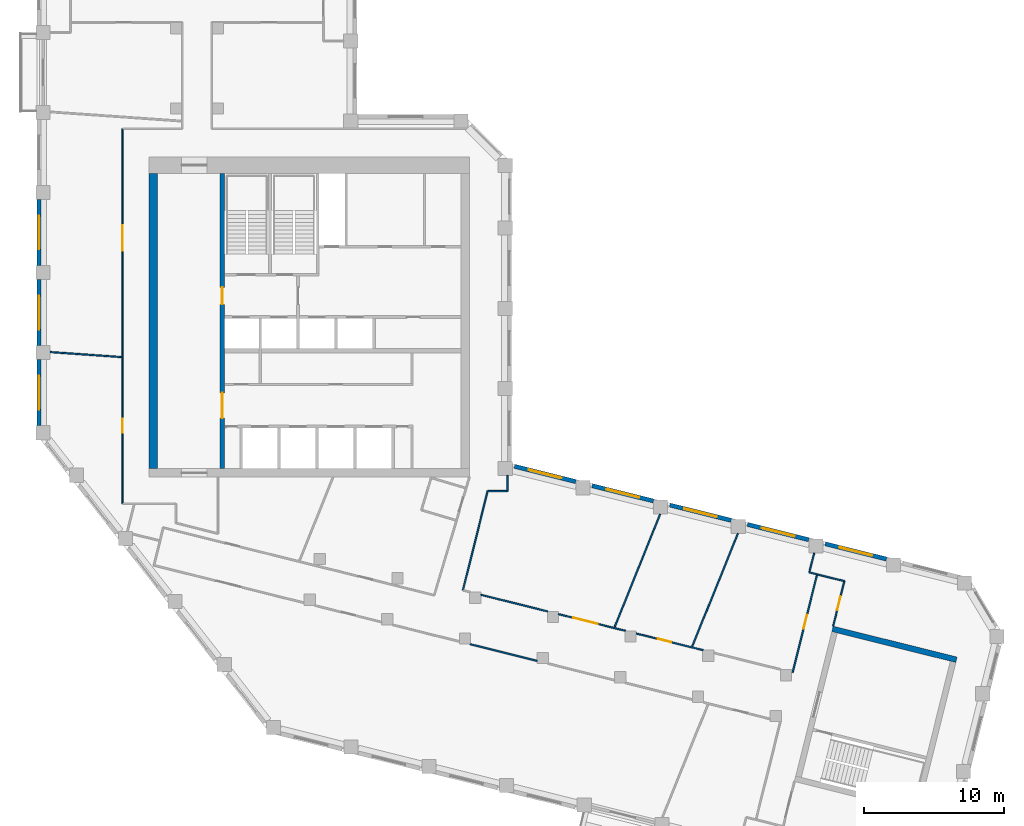
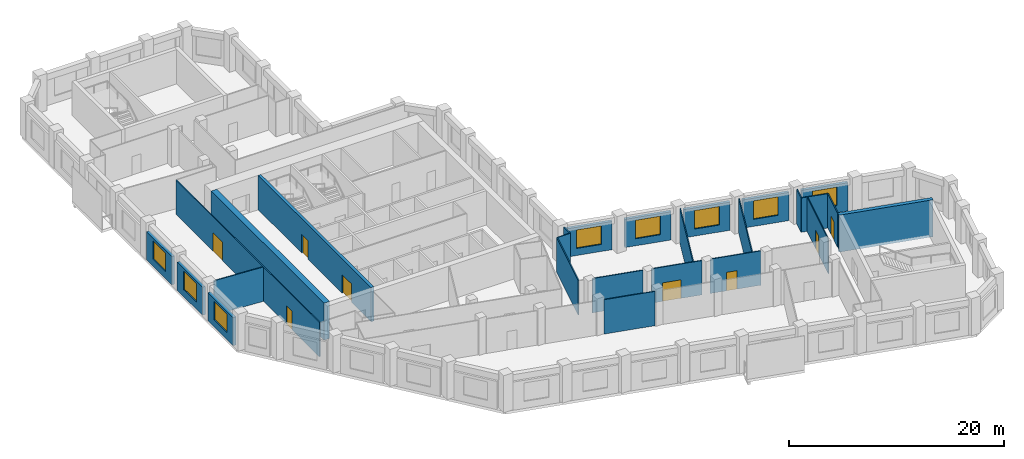
# One storey, part 4 of 9: 27 walls, 8 doors, 8 windows, 16 openings.
"""IFC4 building model written with IfcOpenShell, lengths in metres."""

import ifcopenshell
import ifcopenshell.guid

model = None  # the IFC model being written
_history = None  # IfcOwnerHistory: only IFC2X3 demands one
_inside = {}  # id of a spatial element -> (the spatial element, [elements in it])
_under = {}  # id of a project, library or spatial element -> (it, [spatial elements below it])
_declared = {}  # id of a project -> (the project, [libraries it declares])
_typed = {}  # id of a type object -> (the type object, [elements of that type])
_made_of = {}  # id of a material, layer set ... -> (it, [elements and type objects made of it])


def new_model(schema):
    """Start an empty IFC model of exactly this schema.

    Asked for "IFC4X3", IfcOpenShell would pick the latest addendum, in which some entities
    have other attributes; the version numbers below select the first issue.
    IFC2X3 requires an IfcOwnerHistory on every rooted entity: one is made here for all.
    """
    global model, _history
    if schema == "IFC4X3":
        model = ifcopenshell.file(schema_version=(4, 3, 0, 0))
    else:
        model = ifcopenshell.file(schema=schema)
    _inside.clear()
    _under.clear()
    _declared.clear()
    _typed.clear()
    _made_of.clear()
    _history = None
    if model.schema == "IFC2X3":
        org = make("IfcOrganization", Name="unknown")
        user = make(
            "IfcPersonAndOrganization",
            ThePerson=make("IfcPerson", FamilyName="unknown"),
            TheOrganization=org,
        )
        app = make(
            "IfcApplication",
            ApplicationDeveloper=org,
            Version="unknown",
            ApplicationFullName="unknown",
            ApplicationIdentifier="unknown",
        )
        _history = make(
            "IfcOwnerHistory",
            OwningUser=user,
            OwningApplication=app,
            ChangeAction="ADDED",
            CreationDate=0,
        )
    return model


def make(cls, **values):
    """One entity of the class cls with the attributes given. An attribute that is None is left unset."""
    return model.create_entity(
        cls, **{name: value for name, value in values.items() if value is not None}
    )


def rooted(cls, **values):
    """An entity with a GlobalId (a new one), such as an element, a storey or a relation."""
    return make(cls, GlobalId=ifcopenshell.guid.new(), OwnerHistory=_history, **values)


def si_unit(unit_type, name, prefix=None):
    """IfcSIUnit, for example si_unit("LENGTHUNIT", "METRE", prefix="MILLI")."""
    return make("IfcSIUnit", UnitType=unit_type, Prefix=prefix, Name=name)


def assignment(units):
    """IfcUnitAssignment: the units of a project."""
    return None if units is None else make("IfcUnitAssignment", Units=units)


def point(xyz):
    """IfcCartesianPoint."""
    return None if xyz is None else make("IfcCartesianPoint", Coordinates=xyz)


def direction(xyz):
    """IfcDirection."""
    return None if xyz is None else make("IfcDirection", DirectionRatios=xyz)


def frame(location, z_axis=None, x_axis=None):
    """IfcAxis2Placement3D, a coordinate frame: its origin and axes. An axis left out is left unset."""
    return make(
        "IfcAxis2Placement3D",
        Location=point(location),
        Axis=direction(z_axis),
        RefDirection=direction(x_axis),
    )


def frame_2d(location, x_axis=None):
    """IfcAxis2Placement2D, a coordinate frame in the plane: its origin and x axis."""
    return make(
        "IfcAxis2Placement2D", Location=point(location), RefDirection=direction(x_axis)
    )


def origin():
    """The frame at (0, 0, 0) with its axes left unset."""
    return frame((0.0, 0.0, 0.0))


def place(relative_to, where):
    """IfcLocalPlacement: puts the frame where relative to a parent placement (None: the world)."""
    return make(
        "IfcLocalPlacement", PlacementRelTo=relative_to, RelativePlacement=where
    )


def context(
    kind, dimensions, precision=None, world=None, true_north=None, identifier=None
):
    """IfcGeometricRepresentationContext, for example the 3D "Model" context."""
    return make(
        "IfcGeometricRepresentationContext",
        ContextIdentifier=identifier,
        ContextType=kind,
        CoordinateSpaceDimension=dimensions,
        Precision=precision,
        WorldCoordinateSystem=world,
        TrueNorth=true_north,
    )


def subcontext(parent, identifier, kind, view, scale=None):
    """IfcGeometricRepresentationSubContext, for example "Body" below "Model"."""
    return make(
        "IfcGeometricRepresentationSubContext",
        ContextIdentifier=identifier,
        ContextType=kind,
        ParentContext=parent,
        TargetScale=scale,
        TargetView=view,
    )


def project(units=None, contexts=None):
    """IfcProject with its units and contexts."""
    return rooted(
        "IfcProject",
        Name="project",
        RepresentationContexts=contexts,
        UnitsInContext=assignment(units),
    )


def spatial(cls, under=None, at=None, **own):
    """A site, building, storey or space (cls), placed at a placement, below another one or the project."""
    s = rooted(cls, ObjectPlacement=at, **own)
    if under is not None:
        _under.setdefault(under.id(), (under, []))[1].append(s)
    return s


def profile(cls, at=None, kind="AREA", **sizes):
    """A parametric profile (cls). Its sizes go by their IFC names, for example OverallWidth=200.0."""
    return make(cls, ProfileType=kind, Position=at, **sizes)


def rectangle(**sizes):
    """IfcRectangleProfileDef."""
    return profile("IfcRectangleProfileDef", **sizes)


def extrude(swept, where, along, depth):
    """IfcExtrudedAreaSolid: the profile swept, set in the frame where, extruded along a direction by depth."""
    return make(
        "IfcExtrudedAreaSolid",
        SweptArea=swept,
        Position=where,
        ExtrudedDirection=direction(along),
        Depth=depth,
    )


def shape(context_of_items, identifier, shape_type, items):
    """IfcShapeRepresentation: the items that make up one representation, for example the "Body"."""
    return make(
        "IfcShapeRepresentation",
        ContextOfItems=context_of_items,
        RepresentationIdentifier=identifier,
        RepresentationType=shape_type,
        Items=items,
    )


def material(Name=None, Category=None):
    """IfcMaterial."""
    return make("IfcMaterial", Name=Name, Category=Category)


def layer(
    of_material, thickness, ventilated=None, Name=None, Category=None, Priority=None
):
    """IfcMaterialLayer: one layer of a wall or slab, of a material (None: an air gap)."""
    return make(
        "IfcMaterialLayer",
        Material=of_material,
        LayerThickness=thickness,
        IsVentilated=ventilated,
        Name=Name,
        Category=Category,
        Priority=Priority,
    )


def layer_set(layers, Name=None):
    """IfcMaterialLayerSet."""
    return make("IfcMaterialLayerSet", MaterialLayers=layers, LayerSetName=Name)


def made_of(thing, what):
    """Note that an element or type object is made of a material, layer set ...; save() writes the relation."""
    if what is not None:
        _made_of.setdefault(what.id(), (what, []))[1].append(thing)
    return thing


def type_object(cls, material=None, **own):
    """A type object (cls), such as IfcWallType, which elements share."""
    return made_of(rooted(cls, **own), material)


def element(
    cls,
    number,
    at=None,
    inside=None,
    cuts=None,
    type_object=None,
    material=None,
    context=None,
    identifier="Body",
    shape_type=None,
    held_by="IfcProductDefinitionShape",
    body=None,
    shapes=None,
    **own,
):
    """One element of the class cls, such as IfcWall. Its Tag is "e" and its number.

    at: its placement. inside: the storey or other place that contains it. cuts: it is an
    opening in that element (IfcRelVoidsElement). A single representation is given by context,
    identifier, shape_type and body (its items); several are given by shapes. held_by: the class
    of the entity that holds the representations. save() writes the other relations.
    """
    e = rooted(cls, Tag="e%d" % number, ObjectPlacement=at, **own)
    if body is not None:
        shapes = [shape(context, identifier, shape_type, body)]
    if shapes is not None:
        e.Representation = make(held_by, Representations=shapes)
    if inside is not None:
        _inside.setdefault(inside.id(), (inside, []))[1].append(e)
    if cuts is not None:
        rooted(
            "IfcRelVoidsElement", RelatingBuildingElement=cuts, RelatedOpeningElement=e
        )
    if type_object is not None:
        _typed.setdefault(type_object.id(), (type_object, []))[1].append(e)
    return made_of(e, material)


def fill(opening, filler):
    """IfcRelFillsElement: the door or window that sits in an opening."""
    return rooted(
        "IfcRelFillsElement",
        RelatingOpeningElement=opening,
        RelatedBuildingElement=filler,
    )


def aggregate(whole, parts):
    """IfcRelAggregates: a whole, such as a stair, and the parts it consists of."""
    return rooted("IfcRelAggregates", RelatingObject=whole, RelatedObjects=parts)


def save(model, path):
    """Write the relations noted so far, then the file.

    IfcRelAggregates (storeys below a building ...), IfcRelContainedInSpatialStructure (elements
    in a storey), IfcRelDefinesByType, IfcRelAssociatesMaterial and IfcRelDeclares: one each for
    every whole, place, type object, material and project.
    """
    for whole, parts in _under.values():
        aggregate(whole, parts)
    for where, things in _inside.values():
        rooted(
            "IfcRelContainedInSpatialStructure",
            RelatedElements=things,
            RelatingStructure=where,
        )
    for kind, things in _typed.values():
        rooted("IfcRelDefinesByType", RelatedObjects=things, RelatingType=kind)
    for what, things in _made_of.values():
        rooted("IfcRelAssociatesMaterial", RelatedObjects=things, RelatingMaterial=what)
    for by, libraries in _declared.values():
        rooted("IfcRelDeclares", RelatingContext=by, RelatedDefinitions=libraries)
    model.write(path)


model = new_model("IFC4")

# Units and contexts
model_context = context("Model", 3, precision=1e-05, world=origin(), true_north=direction((0.0, 1.0)))
body_context = subcontext(model_context, "Body", "Model", "MODEL_VIEW")
ifc_project = project(units=[si_unit("LENGTHUNIT", "METRE"), si_unit("AREAUNIT", "SQUARE_METRE"), si_unit("VOLUMEUNIT", "CUBIC_METRE"), si_unit("PLANEANGLEUNIT", "RADIAN"), si_unit("MASSUNIT", "GRAM", prefix="KILO")], contexts=[model_context])

# Site, building, storey
site_placement = place(None, origin())
site = spatial("IfcSite", under=ifc_project, at=site_placement, CompositionType="ELEMENT")
building_placement = place(site_placement, origin())
building = spatial("IfcBuilding", under=site, at=building_placement, Name="Meshkara Civic Tower", CompositionType="ELEMENT")
storey_placement = place(building_placement, frame((0.0, 0.0, 310.800048828125)))
storey = spatial("IfcBuildingStorey", under=building, at=storey_placement, Name="L71", CompositionType="ELEMENT", Elevation=310.800048828125)

# Wall
ifc_material_1 = material(Name="Concrete C60", Category="concrete")
ifc_layer_1 = layer(ifc_material_1, 0.60009765625)
ifc_layer_set_1 = layer_set([ifc_layer_1], Name="Core ring wall 600 C60")
wall_type_1 = type_object("IfcWallType", Name="Core ring wall 600 C60", PredefinedType="SHEAR", material=ifc_layer_set_1)
wall_1_placement = place(storey_placement, frame((8.300048828125, 14.699951171875, -0.300048828125), z_axis=(0.0, 0.0, 1.0), x_axis=(0.0, 1.0, 0.0)))
element("IfcWall", 1, at=wall_1_placement, inside=storey, type_object=wall_type_1, Name="L71-C003", PredefinedType="SHEAR", context=body_context, shape_type="SweptSolid", body=[
    extrude(rectangle(XDim=21.0, YDim=0.60009765625, at=frame_2d((10.5, 0.0))), origin(), (0.0, 0.0, 1.0), 4.199951171875),
])

# Wall, openings, doors
ifc_material_2 = material(Name="Concrete C60", Category="concrete")
ifc_layer_2 = layer(ifc_material_2, 0.300048828125)
ifc_layer_set_2 = layer_set([ifc_layer_2], Name="Core shear wall 300 C60")
wall_type_2 = type_object("IfcWallType", Name="Core shear wall 300 C60", PredefinedType="SHEAR", material=ifc_layer_set_2)
wall_2_placement = place(storey_placement, frame((13.199951171875, 14.699951171875, 0.0), z_axis=(0.0, 0.0, 1.0), x_axis=(0.0, 1.0, 0.0)))
wall_2 = element("IfcWall", 2, at=wall_2_placement, inside=storey, type_object=wall_type_2, Name="L71-C011", PredefinedType="SHEAR", context=body_context, shape_type="SweptSolid", body=[
    extrude(rectangle(XDim=21.0, YDim=0.300048828125, at=frame_2d((10.5, 0.0))), origin(), (0.0, 0.0, 1.0), 3.89990234375),
])
opening_1_placement = place(wall_2_placement, frame((3.60009765625, 0.0, 0.0)))
opening_1 = element("IfcOpeningElement", 3, at=opening_1_placement, cuts=wall_2, Name="Opening L71-K019", PredefinedType="OPENING", context=body_context, shape_type="SweptSolid", body=[
    extrude(rectangle(XDim=1.800048828125, YDim=2.10009765625, at=frame_2d((0.89990234375, 1.050048828125))), frame((0.0, 0.159912109375, 0.0), z_axis=(0.0, -1.0, 0.0), x_axis=(1.0, 0.0, 0.0)), (0.0, 0.0, 1.0), 0.320068359375),
])
opening_2_placement = place(wall_2_placement, frame((11.699951171875, 0.0, 0.0)))
opening_2 = element("IfcOpeningElement", 4, at=opening_2_placement, cuts=wall_2, Name="Opening L71-K020", PredefinedType="OPENING", context=body_context, shape_type="SweptSolid", body=[
    extrude(rectangle(XDim=1.199951171875, YDim=2.10009765625, at=frame_2d((0.60009765625, 1.050048828125))), frame((0.0, 0.159912109375, 0.0), z_axis=(0.0, -1.0, 0.0), x_axis=(1.0, 0.0, 0.0)), (0.0, 0.0, 1.0), 0.320068359375),
])
ifc_material_3 = material(Name="Fire-rated door leaf in steel frame", Category="steel")
door_type_1 = type_object("IfcDoorType", Name="Core double door 1800 EI 60", OperationType="DOUBLE_DOOR_SINGLE_SWING", PredefinedType="DOOR", material=ifc_material_3)
door_1_placement = place(opening_1_placement, origin())
door_1 = element("IfcDoor", 5, at=door_1_placement, inside=storey, type_object=door_type_1, Name="L71-K019", OperationType="DOUBLE_DOOR_SINGLE_SWING", OverallHeight=2.10009765625, OverallWidth=1.800048828125, PredefinedType="DOOR", context=body_context, shape_type="SweptSolid", body=[
    extrude(rectangle(XDim=1.800048828125, YDim=2.10009765625, at=frame_2d((0.89990234375, 1.050048828125))), frame((0.0, 0.02490234375, 0.0), z_axis=(0.0, -1.0, 0.0), x_axis=(1.0, 0.0, 0.0)), (0.0, 0.0, 1.0), 0.050048828125),
])
fill(opening_1, door_1)
ifc_material_4 = material(Name="Fire-rated door leaf in steel frame", Category="steel")
door_type_2 = type_object("IfcDoorType", Name="Fire-fighting lobby door 1200 EI 120", OperationType="SINGLE_SWING_LEFT", PredefinedType="DOOR", material=ifc_material_4)
door_2_placement = place(opening_2_placement, origin())
door_2 = element("IfcDoor", 6, at=door_2_placement, inside=storey, type_object=door_type_2, Name="L71-K020", OperationType="SINGLE_SWING_LEFT", OverallHeight=2.10009765625, OverallWidth=1.199951171875, PredefinedType="DOOR", context=body_context, shape_type="SweptSolid", body=[
    extrude(rectangle(XDim=1.199951171875, YDim=2.10009765625, at=frame_2d((0.60009765625, 1.050048828125))), frame((0.0, 0.02490234375, 0.0), z_axis=(0.0, -1.0, 0.0), x_axis=(1.0, 0.0, 0.0)), (0.0, 0.0, 1.0), 0.050048828125),
])
fill(opening_2, door_2)

ifc_material_5 = material(Name="Corridor wall 100")
ifc_layer_3 = layer(ifc_material_5, 0.10009765625)
ifc_layer_set_3 = layer_set([ifc_layer_3], Name="Corridor wall 100")
wall_type_3 = type_object("IfcWallType", Name="Corridor wall 100", PredefinedType="PARTITIONING", material=ifc_layer_set_3)
wall_3_placement = place(storey_placement, frame((6.10009765625, 38.89990234375, 0.0), z_axis=(0.0, 0.0, 1.0), x_axis=(0.0, -1.0, 0.0)))
wall_3 = element("IfcWall", 7, at=wall_3_placement, inside=storey, type_object=wall_type_3, Name="L71-W005", PredefinedType="PARTITIONING", context=body_context, shape_type="SweptSolid", body=[
    extrude(rectangle(XDim=26.699951171875, YDim=0.10009765625, at=frame_2d((13.35009765625, 0.0))), origin(), (0.0, 0.0, 1.0), 3.89990234375),
])
opening_3_placement = place(wall_3_placement, frame((20.635986328125, 0.0, 0.0)))
opening_3 = element("IfcOpeningElement", 8, at=opening_3_placement, cuts=wall_3, Name="Opening L71-D011", PredefinedType="OPENING", context=body_context, shape_type="SweptSolid", body=[
    extrude(rectangle(XDim=1.0, YDim=2.10009765625, at=frame_2d((0.5, 1.050048828125))), frame((0.0, 0.06005859375, 0.0), z_axis=(0.0, -1.0, 0.0), x_axis=(1.0, 0.0, 0.0)), (0.0, 0.0, 1.0), 0.1201171875),
])
opening_4_placement = place(wall_3_placement, frame((6.8798828125, 0.0, 0.0)))
opening_4 = element("IfcOpeningElement", 9, at=opening_4_placement, cuts=wall_3, Name="Opening L71-D013", PredefinedType="OPENING", context=body_context, shape_type="SweptSolid", body=[
    extrude(rectangle(XDim=1.800048828125, YDim=2.10009765625, at=frame_2d((0.89990234375, 1.050048828125))), frame((0.0, 0.06005859375, 0.0), z_axis=(0.0, -1.0, 0.0), x_axis=(1.0, 0.0, 0.0)), (0.0, 0.0, 1.0), 0.1201171875),
])
ifc_material_6 = material(Name="Door 1000 x 2100")
door_type_3 = type_object("IfcDoorType", Name="Door 1000 x 2100", OperationType="SINGLE_SWING_LEFT", PredefinedType="DOOR", material=ifc_material_6)
door_3_placement = place(opening_3_placement, origin())
door_3 = element("IfcDoor", 10, at=door_3_placement, inside=storey, type_object=door_type_3, Name="L71-D011", OperationType="SINGLE_SWING_RIGHT", OverallHeight=2.10009765625, OverallWidth=1.0, PredefinedType="DOOR", context=body_context, shape_type="SweptSolid", body=[
    extrude(rectangle(XDim=1.0, YDim=2.10009765625, at=frame_2d((0.5, 1.050048828125))), frame((0.0, 0.02490234375, 0.0), z_axis=(0.0, -1.0, 0.0), x_axis=(1.0, 0.0, 0.0)), (0.0, 0.0, 1.0), 0.050048828125),
])
fill(opening_3, door_3)
ifc_material_7 = material(Name="Door pair 1800 x 2100")
door_type_4 = type_object("IfcDoorType", Name="Door pair 1800 x 2100", OperationType="SINGLE_SWING_LEFT", PredefinedType="DOOR", material=ifc_material_7)
door_4_placement = place(opening_4_placement, origin())
door_4 = element("IfcDoor", 11, at=door_4_placement, inside=storey, type_object=door_type_4, Name="L71-D013", OperationType="DOUBLE_DOOR_SINGLE_SWING", OverallHeight=2.10009765625, OverallWidth=1.800048828125, PredefinedType="DOOR", context=body_context, shape_type="SweptSolid", body=[
    extrude(rectangle(XDim=1.800048828125, YDim=2.10009765625, at=frame_2d((0.89990234375, 1.050048828125))), frame((0.0, 0.02490234375, 0.0), z_axis=(0.0, -1.0, 0.0), x_axis=(1.0, 0.0, 0.0)), (0.0, 0.0, 1.0), 0.050048828125),
])
fill(opening_4, door_4)

# Walls
wall_4_placement = place(storey_placement, frame((30.3359375, 6.0400390625, 0.0), z_axis=(0.0, 0.0, 1.0), x_axis=(0.2420145387, 0.970272623059, 0.0)))
element("IfcWall", 12, at=wall_4_placement, inside=storey, type_object=wall_type_3, Name="L71-W021", PredefinedType="PARTITIONING", context=body_context, shape_type="SweptSolid", body=[
    extrude(rectangle(XDim=7.2763671875, YDim=0.10009765625, at=frame_2d((3.63818359375, 0.0))), origin(), (0.0, 0.0, 1.0), 3.89990234375),
])
wall_5_placement = place(storey_placement, frame((30.85107421875, 2.201904296875, 0.0), z_axis=(0.0, 0.0, 1.0), x_axis=(0.970297297406, -0.241915594055, 0.0)))
element("IfcWall", 13, at=wall_5_placement, inside=storey, type_object=wall_type_3, Name="L71-W023", PredefinedType="PARTITIONING", context=body_context, shape_type="SweptSolid", body=[
    extrude(rectangle(XDim=4.91064453125, YDim=0.10009765625, at=frame_2d((2.455322265625, 0.0))), origin(), (0.0, 0.0, 1.0), 3.89990234375),
])
wall_6_placement = place(storey_placement, frame((32.096923828125, 13.10009765625, 0.0), z_axis=(0.0, 0.0, 1.0), x_axis=(1.0, 0.0, 0.0)))
element("IfcWall", 14, at=wall_6_placement, inside=storey, type_object=wall_type_3, Name="L71-W025", PredefinedType="PARTITIONING", context=body_context, shape_type="SweptSolid", body=[
    extrude(rectangle(XDim=1.403076171875, YDim=0.10009765625, at=frame_2d((0.70166015625, 0.0))), origin(), (0.0, 0.0, 1.0), 3.89990234375),
])
wall_7_placement = place(storey_placement, frame((33.5, 13.10009765625, 0.0), z_axis=(0.0, 0.0, 1.0), x_axis=(0.0, 1.0, 0.0)))
element("IfcWall", 15, at=wall_7_placement, inside=storey, type_object=wall_type_3, Name="L71-W026", PredefinedType="PARTITIONING", context=body_context, shape_type="SweptSolid", body=[
    extrude(rectangle(XDim=1.118896484375, YDim=0.10009765625, at=frame_2d((0.5595703125, 0.0))), origin(), (0.0, 0.0, 1.0), 3.89990234375),
])
wall_8_placement = place(storey_placement, frame((36.376953125, 4.533935546875, 0.0), z_axis=(0.0, 0.0, 1.0), x_axis=(-0.970308932068, 0.2418689239, 0.0)))
element("IfcWall", 16, at=wall_8_placement, inside=storey, type_object=wall_type_3, Name="L71-W028", PredefinedType="PARTITIONING", context=body_context, shape_type="SweptSolid", body=[
    extrude(rectangle(XDim=4.91162109375, YDim=0.10009765625, at=frame_2d((2.455810546875, 0.0))), origin(), (0.0, 0.0, 1.0), 3.89990234375),
])

# Wall, opening, door
wall_9_placement = place(storey_placement, frame((37.14208984375, 4.343017578125, 0.0), z_axis=(0.0, 0.0, 1.0), x_axis=(0.970320559999, -0.241822271189, 0.0)))
wall_9 = element("IfcWall", 17, at=wall_9_placement, inside=storey, type_object=wall_type_3, Name="L71-W029", PredefinedType="PARTITIONING", context=body_context, shape_type="SweptSolid", body=[
    extrude(rectangle(XDim=4.91259765625, YDim=0.10009765625, at=frame_2d((2.456298828125, 0.0))), origin(), (0.0, 0.0, 1.0), 3.89990234375),
])
opening_5_placement = place(wall_9_placement, frame((1.080078125, 0.0, 0.0)))
opening_5 = element("IfcOpeningElement", 18, at=opening_5_placement, cuts=wall_9, Name="Opening L71-D004", PredefinedType="OPENING", context=body_context, shape_type="SweptSolid", body=[
    extrude(rectangle(XDim=1.800048828125, YDim=2.10009765625, at=frame_2d((0.89990234375, 1.050048828125))), frame((0.0, 0.06005859375, 0.0), z_axis=(0.0, -1.0, 0.0), x_axis=(1.0, 0.0, 0.0)), (0.0, 0.0, 1.0), 0.1201171875),
])
door_5_placement = place(opening_5_placement, origin())
door_5 = element("IfcDoor", 19, at=door_5_placement, inside=storey, type_object=door_type_4, Name="L71-D004", OperationType="DOUBLE_DOOR_SINGLE_SWING", OverallHeight=2.10009765625, OverallWidth=1.800048828125, PredefinedType="DOOR", context=body_context, shape_type="SweptSolid", body=[
    extrude(rectangle(XDim=1.800048828125, YDim=2.10009765625, at=frame_2d((0.89990234375, 1.050048828125))), frame((0.0, 0.02490234375, 0.0), z_axis=(0.0, -1.0, 0.0), x_axis=(1.0, 0.0, 0.0)), (0.0, 0.0, 1.0), 0.050048828125),
])
fill(opening_5, door_5)

wall_10_placement = place(storey_placement, frame((42.672119140625, 2.965087890625, 0.0), z_axis=(0.0, 0.0, 1.0), x_axis=(0.970273873313, -0.242009526187, 0.0)))
wall_10 = element("IfcWall", 20, at=wall_10_placement, inside=storey, type_object=wall_type_3, Name="L71-W031", PredefinedType="PARTITIONING", context=body_context, shape_type="SweptSolid", body=[
    extrude(rectangle(XDim=4.913818359375, YDim=0.10009765625, at=frame_2d((2.45703125, 0.0))), origin(), (0.0, 0.0, 1.0), 3.89990234375),
])
opening_6_placement = place(wall_10_placement, frame((1.580078125, 0.0, 0.0)))
opening_6 = element("IfcOpeningElement", 21, at=opening_6_placement, cuts=wall_10, Name="Opening L71-D005", PredefinedType="OPENING", context=body_context, shape_type="SweptSolid", body=[
    extrude(rectangle(XDim=1.0, YDim=2.10009765625, at=frame_2d((0.5, 1.050048828125))), frame((0.0, 0.06005859375, 0.0), z_axis=(0.0, -1.0, 0.0), x_axis=(1.0, 0.0, 0.0)), (0.0, 0.0, 1.0), 0.1201171875),
])
door_6_placement = place(opening_6_placement, origin())
door_6 = element("IfcDoor", 22, at=door_6_placement, inside=storey, type_object=door_type_3, Name="L71-D005", OperationType="SINGLE_SWING_RIGHT", OverallHeight=2.10009765625, OverallWidth=1.0, PredefinedType="DOOR", context=body_context, shape_type="SweptSolid", body=[
    extrude(rectangle(XDim=1.0, YDim=2.10009765625, at=frame_2d((0.5, 1.050048828125))), frame((0.0, 0.02490234375, 0.0), z_axis=(0.0, -1.0, 0.0), x_axis=(1.0, 0.0, 0.0)), (0.0, 0.0, 1.0), 0.050048828125),
])
fill(opening_6, door_6)

wall_11_placement = place(storey_placement, frame((55.555908203125, 7.173095703125, 0.0), z_axis=(0.0, 0.0, 1.0), x_axis=(-0.241937193493, -0.970291911955, 0.0)))
wall_11 = element("IfcWall", 23, at=wall_11_placement, inside=storey, type_object=wall_type_3, Name="L71-W037", PredefinedType="PARTITIONING", context=body_context, shape_type="SweptSolid", body=[
    extrude(rectangle(XDim=7.199951171875, YDim=0.10009765625, at=frame_2d((3.60009765625, 0.0))), origin(), (0.0, 0.0, 1.0), 3.89990234375),
])
opening_7_placement = place(wall_11_placement, frame((2.97998046875, 0.0, 0.0)))
opening_7 = element("IfcOpeningElement", 24, at=opening_7_placement, cuts=wall_11, Name="Opening L71-D006", PredefinedType="OPENING", context=body_context, shape_type="SweptSolid", body=[
    extrude(rectangle(XDim=1.0, YDim=2.10009765625, at=frame_2d((0.5, 1.050048828125))), frame((0.0, 0.06005859375, 0.0), z_axis=(0.0, -1.0, 0.0), x_axis=(1.0, 0.0, 0.0)), (0.0, 0.0, 1.0), 0.1201171875),
])
door_7_placement = place(opening_7_placement, origin())
door_7 = element("IfcDoor", 25, at=door_7_placement, inside=storey, type_object=door_type_3, Name="L71-D006", OperationType="SINGLE_SWING_RIGHT", OverallHeight=2.10009765625, OverallWidth=1.0, PredefinedType="DOOR", context=body_context, shape_type="SweptSolid", body=[
    extrude(rectangle(XDim=1.0, YDim=2.10009765625, at=frame_2d((0.5, 1.050048828125))), frame((0.0, 0.02490234375, 0.0), z_axis=(0.0, -1.0, 0.0), x_axis=(1.0, 0.0, 0.0)), (0.0, 0.0, 1.0), 0.050048828125),
])
fill(opening_7, door_7)

wall_12_placement = place(storey_placement, frame((56.697998046875, 3.487060546875, 0.0), z_axis=(0.0, 0.0, 1.0), x_axis=(0.241856645367, 0.970311992656, 0.0)))
wall_12 = element("IfcWall", 26, at=wall_12_placement, inside=storey, type_object=wall_type_3, Name="L71-W038", PredefinedType="PARTITIONING", context=body_context, shape_type="SweptSolid", body=[
    extrude(rectangle(XDim=3.2998046875, YDim=0.10009765625, at=frame_2d((1.64990234375, 0.0))), origin(), (0.0, 0.0, 1.0), 3.89990234375),
])
opening_8_placement = place(wall_12_placement, frame((1.179931640625, 0.0, 0.0)))
opening_8 = element("IfcOpeningElement", 27, at=opening_8_placement, cuts=wall_12, Name="Opening L71-D007", PredefinedType="OPENING", context=body_context, shape_type="SweptSolid", body=[
    extrude(rectangle(XDim=1.0, YDim=2.10009765625, at=frame_2d((0.5, 1.050048828125))), frame((0.0, 0.06005859375, 0.0), z_axis=(0.0, -1.0, 0.0), x_axis=(1.0, 0.0, 0.0)), (0.0, 0.0, 1.0), 0.1201171875),
])
door_8_placement = place(opening_8_placement, origin())
door_8 = element("IfcDoor", 28, at=door_8_placement, inside=storey, type_object=door_type_3, Name="L71-D007", OperationType="SINGLE_SWING_LEFT", OverallHeight=2.10009765625, OverallWidth=1.0, PredefinedType="DOOR", context=body_context, shape_type="SweptSolid", body=[
    extrude(rectangle(XDim=1.0, YDim=2.10009765625, at=frame_2d((0.5, 1.050048828125))), frame((0.0, 0.02490234375, 0.0), z_axis=(0.0, -1.0, 0.0), x_axis=(1.0, 0.0, 0.0)), (0.0, 0.0, 1.0), 0.050048828125),
])
fill(opening_8, door_8)

# Wall
wall_13_placement = place(storey_placement, frame((57.49609375, 6.68896484375, 0.0), z_axis=(0.0, 0.0, 1.0), x_axis=(-0.970250131019, 0.242104694829, 0.0)))
element("IfcWall", 29, at=wall_13_placement, inside=storey, type_object=wall_type_3, Name="L71-W039", PredefinedType="PARTITIONING", context=body_context, shape_type="SweptSolid", body=[
    extrude(rectangle(XDim=1.999755859375, YDim=0.10009765625, at=frame_2d((1.0, 0.0))), origin(), (0.0, 0.0, 1.0), 3.89990234375),
])

# Wall, opening, window
ifc_material_8 = material(Name="Insulated infill panel with bronze anodised aluminium cladding", Category="aluminium")
ifc_layer_4 = layer(ifc_material_8, 0.300048828125)
ifc_layer_set_4 = layer_set([ifc_layer_4], Name="EXTERNAL INFILL WALL 300")
wall_type_4 = type_object("IfcWallType", Name="EXTERNAL INFILL WALL 300", PredefinedType="SOLIDWALL", material=ifc_layer_set_4)
wall_14_placement = place(storey_placement, frame((60.488037109375, 8.261962890625, 0.0), z_axis=(0.0, 0.0, 1.0), x_axis=(-0.970276766004, 0.241997928406, 0.0)))
wall_14 = element("IfcWall", 30, at=wall_14_placement, inside=storey, type_object=wall_type_4, Name="External wall", PredefinedType="SOLIDWALL", context=body_context, shape_type="SweptSolid", body=[
    extrude(rectangle(XDim=4.4873046875, YDim=0.300048828125, at=frame_2d((2.24365234375, 0.0))), origin(), (0.0, 0.0, 1.0), 3.199951171875),
])
opening_9_placement = place(wall_14_placement, frame((1.0439453125, 0.0, 0.800048828125)))
opening_9 = element("IfcOpeningElement", 31, at=opening_9_placement, cuts=wall_14, Name="Opening W7", PredefinedType="OPENING", context=body_context, shape_type="SweptSolid", body=[
    extrude(rectangle(XDim=2.39990234375, YDim=2.10009765625, at=frame_2d((1.199951171875, 1.050048828125))), frame((0.0, 0.159912109375, 0.0), z_axis=(0.0, -1.0, 0.0), x_axis=(1.0, 0.0, 0.0)), (0.0, 0.0, 1.0), 0.320068359375),
])
ifc_material_9 = material(Name="Tinted double glazing", Category="glass")
window_type = type_object("IfcWindowType", Name="WINDOW 2400x2100", PartitioningType="DOUBLE_PANEL_VERTICAL", PredefinedType="WINDOW", material=ifc_material_9)
window_1_placement = place(opening_9_placement, origin())
window_1 = element("IfcWindow", 32, at=window_1_placement, inside=storey, type_object=window_type, Name="Window", OverallHeight=2.10009765625, OverallWidth=2.39990234375, PartitioningType="DOUBLE_PANEL_VERTICAL", PredefinedType="WINDOW", context=body_context, shape_type="SweptSolid", body=[
    extrude(rectangle(XDim=2.39990234375, YDim=2.10009765625, at=frame_2d((1.199951171875, 1.050048828125))), frame((0.0, 0.030029296875, 0.0), z_axis=(0.0, -1.0, 0.0), x_axis=(1.0, 0.0, 0.0)), (0.0, 0.0, 1.0), 0.06005859375),
])
fill(opening_9, window_1)

wall_15_placement = place(storey_placement, frame((54.9580078125, 9.64111328125, 0.0), z_axis=(0.0, 0.0, 1.0), x_axis=(-0.970289506684, 0.241946839653, 0.0)))
wall_15 = element("IfcWall", 33, at=wall_15_placement, inside=storey, type_object=wall_type_4, Name="External wall", PredefinedType="SOLIDWALL", context=body_context, shape_type="SweptSolid", body=[
    extrude(rectangle(XDim=4.48828125, YDim=0.300048828125, at=frame_2d((2.244140625, 0.0))), origin(), (0.0, 0.0, 1.0), 3.199951171875),
])
opening_10_placement = place(wall_15_placement, frame((1.0439453125, 0.0, 0.800048828125)))
opening_10 = element("IfcOpeningElement", 34, at=opening_10_placement, cuts=wall_15, Name="Opening W7", PredefinedType="OPENING", context=body_context, shape_type="SweptSolid", body=[
    extrude(rectangle(XDim=2.39990234375, YDim=2.10009765625, at=frame_2d((1.199951171875, 1.050048828125))), frame((0.0, 0.159912109375, 0.0), z_axis=(0.0, -1.0, 0.0), x_axis=(1.0, 0.0, 0.0)), (0.0, 0.0, 1.0), 0.320068359375),
])
window_2_placement = place(opening_10_placement, origin())
window_2 = element("IfcWindow", 35, at=window_2_placement, inside=storey, type_object=window_type, Name="Window", OverallHeight=2.10009765625, OverallWidth=2.39990234375, PartitioningType="DOUBLE_PANEL_VERTICAL", PredefinedType="WINDOW", context=body_context, shape_type="SweptSolid", body=[
    extrude(rectangle(XDim=2.39990234375, YDim=2.10009765625, at=frame_2d((1.199951171875, 1.050048828125))), frame((0.0, 0.030029296875, 0.0), z_axis=(0.0, -1.0, 0.0), x_axis=(1.0, 0.0, 0.0)), (0.0, 0.0, 1.0), 0.06005859375),
])
fill(opening_10, window_2)

wall_16_placement = place(storey_placement, frame((49.427001953125, 11.02001953125, 0.0), z_axis=(0.0, 0.0, 1.0), x_axis=(-0.970289506684, 0.241946839653, 0.0)))
wall_16 = element("IfcWall", 36, at=wall_16_placement, inside=storey, type_object=wall_type_4, Name="External wall", PredefinedType="SOLIDWALL", context=body_context, shape_type="SweptSolid", body=[
    extrude(rectangle(XDim=4.48828125, YDim=0.300048828125, at=frame_2d((2.244140625, 0.0))), origin(), (0.0, 0.0, 1.0), 3.199951171875),
])
opening_11_placement = place(wall_16_placement, frame((1.0439453125, 0.0, 0.800048828125)))
opening_11 = element("IfcOpeningElement", 37, at=opening_11_placement, cuts=wall_16, Name="Opening W7", PredefinedType="OPENING", context=body_context, shape_type="SweptSolid", body=[
    extrude(rectangle(XDim=2.39990234375, YDim=2.10009765625, at=frame_2d((1.199951171875, 1.050048828125))), frame((0.0, 0.159912109375, 0.0), z_axis=(0.0, -1.0, 0.0), x_axis=(1.0, 0.0, 0.0)), (0.0, 0.0, 1.0), 0.320068359375),
])
window_3_placement = place(opening_11_placement, origin())
window_3 = element("IfcWindow", 38, at=window_3_placement, inside=storey, type_object=window_type, Name="Window", OverallHeight=2.10009765625, OverallWidth=2.39990234375, PartitioningType="DOUBLE_PANEL_VERTICAL", PredefinedType="WINDOW", context=body_context, shape_type="SweptSolid", body=[
    extrude(rectangle(XDim=2.39990234375, YDim=2.10009765625, at=frame_2d((1.199951171875, 1.050048828125))), frame((0.0, 0.030029296875, 0.0), z_axis=(0.0, -1.0, 0.0), x_axis=(1.0, 0.0, 0.0)), (0.0, 0.0, 1.0), 0.06005859375),
])
fill(opening_11, window_3)

wall_17_placement = place(storey_placement, frame((43.89599609375, 12.39892578125, 0.0), z_axis=(0.0, 0.0, 1.0), x_axis=(-0.970263990019, 0.242049147224, 0.0)))
wall_17 = element("IfcWall", 39, at=wall_17_placement, inside=storey, type_object=wall_type_4, Name="External wall", PredefinedType="SOLIDWALL", context=body_context, shape_type="SweptSolid", body=[
    extrude(rectangle(XDim=4.487548828125, YDim=0.300048828125, at=frame_2d((2.24365234375, 0.0))), origin(), (0.0, 0.0, 1.0), 3.199951171875),
])
opening_12_placement = place(wall_17_placement, frame((1.0439453125, 0.0, 0.800048828125)))
opening_12 = element("IfcOpeningElement", 40, at=opening_12_placement, cuts=wall_17, Name="Opening W7", PredefinedType="OPENING", context=body_context, shape_type="SweptSolid", body=[
    extrude(rectangle(XDim=2.39990234375, YDim=2.10009765625, at=frame_2d((1.199951171875, 1.050048828125))), frame((0.0, 0.159912109375, 0.0), z_axis=(0.0, -1.0, 0.0), x_axis=(1.0, 0.0, 0.0)), (0.0, 0.0, 1.0), 0.320068359375),
])
window_4_placement = place(opening_12_placement, origin())
window_4 = element("IfcWindow", 41, at=window_4_placement, inside=storey, type_object=window_type, Name="Window", OverallHeight=2.10009765625, OverallWidth=2.39990234375, PartitioningType="DOUBLE_PANEL_VERTICAL", PredefinedType="WINDOW", context=body_context, shape_type="SweptSolid", body=[
    extrude(rectangle(XDim=2.39990234375, YDim=2.10009765625, at=frame_2d((1.199951171875, 1.050048828125))), frame((0.0, 0.030029296875, 0.0), z_axis=(0.0, -1.0, 0.0), x_axis=(1.0, 0.0, 0.0)), (0.0, 0.0, 1.0), 0.06005859375),
])
fill(opening_12, window_4)

wall_18_placement = place(storey_placement, frame((38.365966796875, 13.778076171875, 0.0), z_axis=(0.0, 0.0, 1.0), x_axis=(-0.970289506684, 0.241946839653, 0.0)))
wall_18 = element("IfcWall", 42, at=wall_18_placement, inside=storey, type_object=wall_type_4, Name="External wall", PredefinedType="SOLIDWALL", context=body_context, shape_type="SweptSolid", body=[
    extrude(rectangle(XDim=4.48828125, YDim=0.300048828125, at=frame_2d((2.244140625, 0.0))), origin(), (0.0, 0.0, 1.0), 3.199951171875),
])
opening_13_placement = place(wall_18_placement, frame((1.0439453125, 0.0, 0.800048828125)))
opening_13 = element("IfcOpeningElement", 43, at=opening_13_placement, cuts=wall_18, Name="Opening W7", PredefinedType="OPENING", context=body_context, shape_type="SweptSolid", body=[
    extrude(rectangle(XDim=2.39990234375, YDim=2.10009765625, at=frame_2d((1.199951171875, 1.050048828125))), frame((0.0, 0.159912109375, 0.0), z_axis=(0.0, -1.0, 0.0), x_axis=(1.0, 0.0, 0.0)), (0.0, 0.0, 1.0), 0.320068359375),
])
window_5_placement = place(opening_13_placement, origin())
window_5 = element("IfcWindow", 44, at=window_5_placement, inside=storey, type_object=window_type, Name="Window", OverallHeight=2.10009765625, OverallWidth=2.39990234375, PartitioningType="DOUBLE_PANEL_VERTICAL", PredefinedType="WINDOW", context=body_context, shape_type="SweptSolid", body=[
    extrude(rectangle(XDim=2.39990234375, YDim=2.10009765625, at=frame_2d((1.199951171875, 1.050048828125))), frame((0.0, 0.030029296875, 0.0), z_axis=(0.0, -1.0, 0.0), x_axis=(1.0, 0.0, 0.0)), (0.0, 0.0, 1.0), 0.06005859375),
])
fill(opening_13, window_5)

wall_19_placement = place(storey_placement, frame((0.14990234375, 33.85498046875, 0.0), z_axis=(0.0, 0.0, 1.0), x_axis=(0.0, -1.0, 0.0)))
wall_19 = element("IfcWall", 45, at=wall_19_placement, inside=storey, type_object=wall_type_4, Name="External wall", PredefinedType="SOLIDWALL", context=body_context, shape_type="SweptSolid", body=[
    extrude(rectangle(XDim=4.699951171875, YDim=0.300048828125, at=frame_2d((2.35009765625, 0.0))), origin(), (0.0, 0.0, 1.0), 3.199951171875),
])
opening_14_placement = place(wall_19_placement, frame((1.14990234375, 0.0, 0.800048828125)))
opening_14 = element("IfcOpeningElement", 46, at=opening_14_placement, cuts=wall_19, Name="Opening W7", PredefinedType="OPENING", context=body_context, shape_type="SweptSolid", body=[
    extrude(rectangle(XDim=2.39990234375, YDim=2.10009765625, at=frame_2d((1.199951171875, 1.050048828125))), frame((0.0, 0.159912109375, 0.0), z_axis=(0.0, -1.0, 0.0), x_axis=(1.0, 0.0, 0.0)), (0.0, 0.0, 1.0), 0.320068359375),
])
window_6_placement = place(opening_14_placement, origin())
window_6 = element("IfcWindow", 47, at=window_6_placement, inside=storey, type_object=window_type, Name="Window", OverallHeight=2.10009765625, OverallWidth=2.39990234375, PartitioningType="DOUBLE_PANEL_VERTICAL", PredefinedType="WINDOW", context=body_context, shape_type="SweptSolid", body=[
    extrude(rectangle(XDim=2.39990234375, YDim=2.10009765625, at=frame_2d((1.199951171875, 1.050048828125))), frame((0.0, 0.030029296875, 0.0), z_axis=(0.0, -1.0, 0.0), x_axis=(1.0, 0.0, 0.0)), (0.0, 0.0, 1.0), 0.06005859375),
])
fill(opening_14, window_6)

wall_20_placement = place(storey_placement, frame((0.14990234375, 28.155029296875, 0.0), z_axis=(0.0, 0.0, 1.0), x_axis=(0.0, -1.0, 0.0)))
wall_20 = element("IfcWall", 48, at=wall_20_placement, inside=storey, type_object=wall_type_4, Name="External wall", PredefinedType="SOLIDWALL", context=body_context, shape_type="SweptSolid", body=[
    extrude(rectangle(XDim=4.699951171875, YDim=0.300048828125, at=frame_2d((2.35009765625, 0.0))), origin(), (0.0, 0.0, 1.0), 3.199951171875),
])
opening_15_placement = place(wall_20_placement, frame((1.14990234375, 0.0, 0.800048828125)))
opening_15 = element("IfcOpeningElement", 49, at=opening_15_placement, cuts=wall_20, Name="Opening W7", PredefinedType="OPENING", context=body_context, shape_type="SweptSolid", body=[
    extrude(rectangle(XDim=2.39990234375, YDim=2.10009765625, at=frame_2d((1.199951171875, 1.050048828125))), frame((0.0, 0.159912109375, 0.0), z_axis=(0.0, -1.0, 0.0), x_axis=(1.0, 0.0, 0.0)), (0.0, 0.0, 1.0), 0.320068359375),
])
window_7_placement = place(opening_15_placement, origin())
window_7 = element("IfcWindow", 50, at=window_7_placement, inside=storey, type_object=window_type, Name="Window", OverallHeight=2.10009765625, OverallWidth=2.39990234375, PartitioningType="DOUBLE_PANEL_VERTICAL", PredefinedType="WINDOW", context=body_context, shape_type="SweptSolid", body=[
    extrude(rectangle(XDim=2.39990234375, YDim=2.10009765625, at=frame_2d((1.199951171875, 1.050048828125))), frame((0.0, 0.030029296875, 0.0), z_axis=(0.0, -1.0, 0.0), x_axis=(1.0, 0.0, 0.0)), (0.0, 0.0, 1.0), 0.06005859375),
])
fill(opening_15, window_7)

wall_21_placement = place(storey_placement, frame((0.14990234375, 22.455078125, 0.0), z_axis=(0.0, 0.0, 1.0), x_axis=(0.0, -1.0, 0.0)))
wall_21 = element("IfcWall", 51, at=wall_21_placement, inside=storey, type_object=wall_type_4, Name="External wall", PredefinedType="SOLIDWALL", context=body_context, shape_type="SweptSolid", body=[
    extrude(rectangle(XDim=4.7001953125, YDim=0.300048828125, at=frame_2d((2.35009765625, 0.0))), origin(), (0.0, 0.0, 1.0), 3.199951171875),
])
opening_16_placement = place(wall_21_placement, frame((1.14990234375, 0.0, 0.800048828125)))
opening_16 = element("IfcOpeningElement", 52, at=opening_16_placement, cuts=wall_21, Name="Opening W7", PredefinedType="OPENING", context=body_context, shape_type="SweptSolid", body=[
    extrude(rectangle(XDim=2.39990234375, YDim=2.10009765625, at=frame_2d((1.199951171875, 1.050048828125))), frame((0.0, 0.159912109375, 0.0), z_axis=(0.0, -1.0, 0.0), x_axis=(1.0, 0.0, 0.0)), (0.0, 0.0, 1.0), 0.320068359375),
])
window_8_placement = place(opening_16_placement, origin())
window_8 = element("IfcWindow", 53, at=window_8_placement, inside=storey, type_object=window_type, Name="Window", OverallHeight=2.10009765625, OverallWidth=2.39990234375, PartitioningType="DOUBLE_PANEL_VERTICAL", PredefinedType="WINDOW", context=body_context, shape_type="SweptSolid", body=[
    extrude(rectangle(XDim=2.39990234375, YDim=2.10009765625, at=frame_2d((1.199951171875, 1.050048828125))), frame((0.0, 0.030029296875, 0.0), z_axis=(0.0, -1.0, 0.0), x_axis=(1.0, 0.0, 0.0)), (0.0, 0.0, 1.0), 0.06005859375),
])
fill(opening_16, window_8)

# Walls
ifc_material_10 = material(Name="Concrete C60", Category="concrete")
ifc_layer_5 = layer(ifc_material_10, 0.39990234375)
ifc_layer_set_5 = layer_set([ifc_layer_5], Name="End core ring wall 400 C60")
wall_type_5 = type_object("IfcWallType", Name="End core ring wall 400 C60", PredefinedType="SHEAR", material=ifc_layer_set_5)
wall_22_placement = place(storey_placement, frame((56.64892578125, 3.29296875, -0.300048828125), z_axis=(0.0, 0.0, 1.0), x_axis=(0.970312696888, -0.241853820019, 0.0)))
element("IfcWall", 54, at=wall_22_placement, inside=storey, type_object=wall_type_5, Name="L71-C033", PredefinedType="SHEAR", context=body_context, shape_type="SweptSolid", body=[
    extrude(rectangle(XDim=9.100341796875, YDim=0.39990234375, at=frame_2d((4.55029296875, 0.0))), origin(), (0.0, 0.0, 1.0), 4.199951171875),
])
ifc_material_11 = material(Name="Partition 100")
ifc_layer_6 = layer(ifc_material_11, 0.10009765625)
ifc_layer_set_6 = layer_set([ifc_layer_6], Name="Partition 100")
wall_type_6 = type_object("IfcWallType", Name="Partition 100", PredefinedType="PARTITIONING", material=ifc_layer_set_6)
wall_23_placement = place(storey_placement, frame((6.047119140625, 22.64404296875, 0.0), z_axis=(0.0, 0.0, 1.0), x_axis=(-0.997570469691, 0.069664610825, 0.0)))
element("IfcWall", 55, at=wall_23_placement, inside=storey, type_object=wall_type_6, Name="L71-W042", PredefinedType="PARTITIONING", context=body_context, shape_type="SweptSolid", body=[
    extrude(rectangle(XDim=5.109619140625, YDim=0.10009765625, at=frame_2d((2.5546875, 0.0))), origin(), (0.0, 0.0, 1.0), 3.89990234375),
])
for number, where, z_axis, x_axis, name in (
    (56, (41.12890625, 3.407958984375, 0.0), (0.0, 0.0, 1.0), (0.374562973491, 0.927201476967, 0.0), "L71-W052"),
    (57, (46.659912109375, 2.029052734375, 0.0), (0.0, 0.0, 1.0), (0.374562973491, 0.927201476967, 0.0), "L71-W054"),
):
    element("IfcWall", number, at=place(storey_placement, frame(where, z_axis=z_axis, x_axis=x_axis)), inside=storey, type_object=wall_type_6, Name=name, PredefinedType="PARTITIONING", context=body_context, shape_type="SweptSolid", body=[
        extrude(rectangle(XDim=8.685302734375, YDim=0.10009765625, at=frame_2d((4.3427734375, 0.0))), origin(), (0.0, 0.0, 1.0), 3.89990234375),
    ])
wall_24_placement = place(storey_placement, frame((55.0009765625, 7.31103515625, 0.0), z_axis=(0.0, 0.0, 1.0), x_axis=(0.24185476373, 0.970312461664, 0.0)))
element("IfcWall", 58, at=wall_24_placement, inside=storey, type_object=wall_type_6, Name="L71-W057", PredefinedType="PARTITIONING", context=body_context, shape_type="SweptSolid", body=[
    extrude(rectangle(XDim=1.434326171875, YDim=0.10009765625, at=frame_2d((0.71728515625, 0.0))), origin(), (0.0, 0.0, 1.0), 3.89990234375),
])
wall_25_placement = place(storey_placement, frame((55.56005859375, 7.172119140625, 0.0), z_axis=(0.0, 0.0, 1.0), x_axis=(-0.970490503334, 0.241139343405, 0.0)))
element("IfcWall", 59, at=wall_25_placement, inside=storey, type_object=wall_type_6, Name="L71-W058", PredefinedType="PARTITIONING", context=body_context, shape_type="SweptSolid", body=[
    extrude(rectangle(XDim=0.576171875, YDim=0.10009765625, at=frame_2d((0.2880859375, 0.0))), origin(), (0.0, 0.0, 1.0), 3.89990234375),
])

save(model, "model.ifc")
